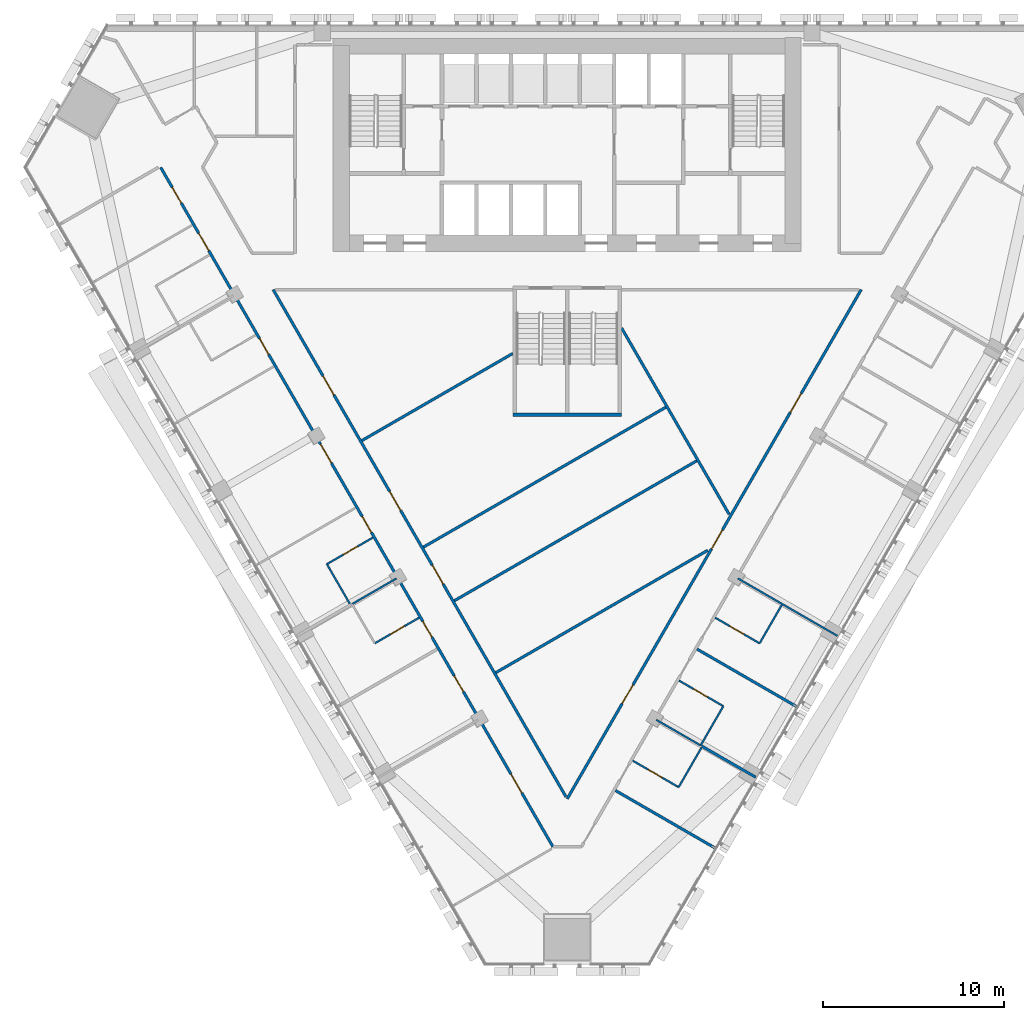
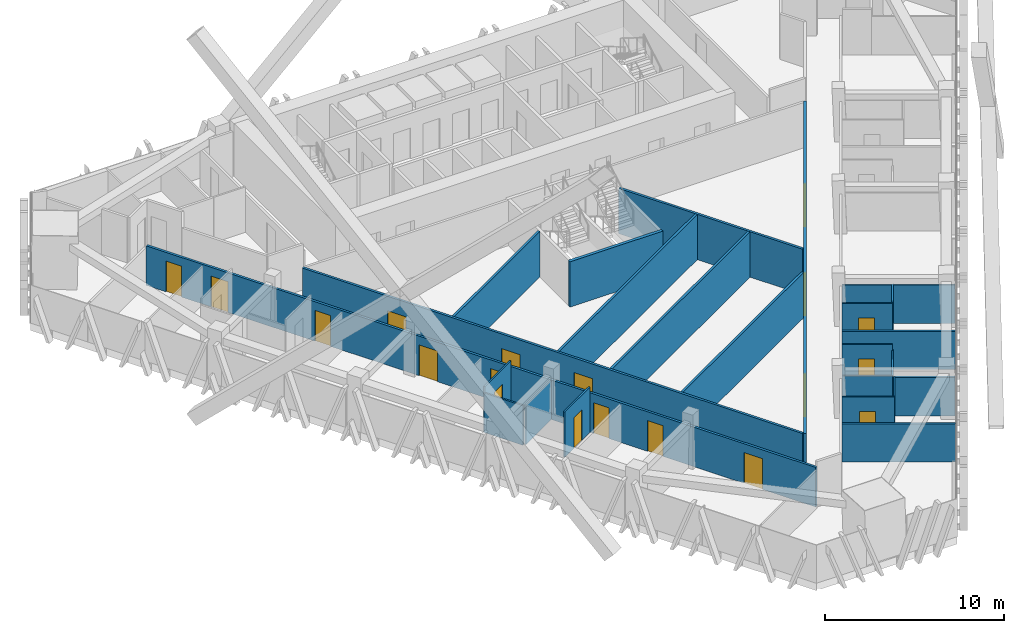
# One storey, part 12 of 19: 24 walls, 19 doors, 19 openings.
"""IFC4 building model written with IfcOpenShell, lengths in metres."""

from ifc_helpers import new_model, si_unit, direction, frame, frame_2d, origin, place, context, subcontext, project, spatial, rectangle, extrude, material, layer, layer_set, type_object, element, fill, save


model = new_model("IFC4")

# Units and contexts
model_context = context("Model", 3, precision=1e-05, world=origin(), true_north=direction((0.0, 1.0)))
body_context = subcontext(model_context, "Body", "Model", "MODEL_VIEW")
ifc_project = project(units=[si_unit("LENGTHUNIT", "METRE"), si_unit("AREAUNIT", "SQUARE_METRE"), si_unit("VOLUMEUNIT", "CUBIC_METRE"), si_unit("PLANEANGLEUNIT", "RADIAN"), si_unit("MASSUNIT", "GRAM", prefix="KILO")], contexts=[model_context])

# Site, building, storey
site_placement = place(None, origin())
site = spatial("IfcSite", under=ifc_project, at=site_placement, CompositionType="ELEMENT")
building_placement = place(site_placement, origin())
building = spatial("IfcBuilding", under=site, at=building_placement, Name="Altiplano Prism Tower", CompositionType="ELEMENT")
storey_placement = place(building_placement, frame((0.0, 0.0, 70.199951171875)))
storey = spatial("IfcBuildingStorey", under=building, at=storey_placement, Name="L17", CompositionType="ELEMENT", Elevation=70.199951171875)

# Wall
ifc_material_1 = material(Name="Plasterboard on steel stud", Category="steel")
ifc_layer_1 = layer(ifc_material_1, 0.10009765625)
ifc_layer_set_1 = layer_set([ifc_layer_1], Name="Plasterboard on steel stud")
wall_type_1 = type_object("IfcWallType", Name="Partition 100 unit", PredefinedType="PARTITIONING", material=ifc_layer_set_1)
wall_1_placement = place(storey_placement, frame((73.016845703125, 73.080322265625, 0.0), z_axis=(0.0, 0.0, 1.0), x_axis=(-0.499976333282, 0.866039067339, 0.0)))
element("IfcWall", 1, at=wall_1_placement, inside=storey, type_object=wall_type_1, Name="Partition P02 L17 047", PredefinedType="PARTITIONING", context=body_context, shape_type="SweptSolid", body=[
    extrude(rectangle(XDim=2.52490234375, YDim=0.10009765625, at=frame_2d((1.262451171875, 0.0))), origin(), (0.0, 0.0, 1.0), 2.699951171875),
])

# Wall, opening, door
wall_2_placement = place(storey_placement, frame((71.75439453125, 75.26708984375, 0.0), z_axis=(0.0, 0.0, 1.0), x_axis=(0.866046596414, 0.499963291492, 0.0)))
wall_2 = element("IfcWall", 2, at=wall_2_placement, inside=storey, type_object=wall_type_1, Name="Partition P02 L17 048", PredefinedType="PARTITIONING", context=body_context, shape_type="SweptSolid", body=[
    extrude(rectangle(XDim=2.925048828125, YDim=0.10009765625, at=frame_2d((1.46240234375, 0.0))), origin(), (0.0, 0.0, 1.0), 3.10009765625),
])
opening_1_placement = place(wall_2_placement, frame((1.050048828125, 0.0, 0.0)))
opening_1 = element("IfcOpeningElement", 3, at=opening_1_placement, cuts=wall_2, Name="Opening D0657", PredefinedType="OPENING", context=body_context, shape_type="SweptSolid", body=[
    extrude(rectangle(XDim=0.89990234375, YDim=2.10009765625, at=frame_2d((0.449951171875, 1.050048828125))), frame((0.0, 0.060546875, 0.0), z_axis=(0.0, -1.0, 0.0), x_axis=(1.0, 0.0, 0.0)), (0.0, 0.0, 1.0), 0.12109375),
])
ifc_material_2 = material(Name="Timber", Category="wood")
door_type_1 = type_object("IfcDoorType", Name="Ensuite door 900 x 2100", OperationType="NOTDEFINED", PredefinedType="NOTDEFINED", material=ifc_material_2)
door_1_placement = place(opening_1_placement, origin())
door_1 = element("IfcDoor", 4, at=door_1_placement, inside=storey, type_object=door_type_1, Name="Door D0657", OperationType="SINGLE_SWING_LEFT", OverallHeight=2.10009765625, OverallWidth=0.89990234375, PredefinedType="NOTDEFINED", context=body_context, shape_type="SweptSolid", body=[
    extrude(rectangle(XDim=0.89990234375, YDim=2.10009765625, at=frame_2d((0.449951171875, 1.050048828125))), frame((0.0, 0.02490234375, 0.0), z_axis=(0.0, -1.0, 0.0), x_axis=(1.0, 0.0, 0.0)), (0.0, 0.0, 1.0), 0.050048828125),
])
fill(opening_1, door_1)

wall_3_placement = place(storey_placement, frame((76.837646484375, 72.31298828125, 0.0), z_axis=(0.0, 0.0, 1.0), x_axis=(-0.866011447264, -0.500024172624, 0.0)))
wall_3 = element("IfcWall", 5, at=wall_3_placement, inside=storey, type_object=wall_type_1, Name="Partition P02 L17 051", PredefinedType="PARTITIONING", context=body_context, shape_type="SweptSolid", body=[
    extrude(rectangle(XDim=2.824951171875, YDim=0.10009765625, at=frame_2d((1.41259765625, 0.0))), origin(), (0.0, 0.0, 1.0), 3.10009765625),
])
opening_2_placement = place(wall_3_placement, frame((0.925048828125, 0.0, 0.0)))
opening_2 = element("IfcOpeningElement", 6, at=opening_2_placement, cuts=wall_3, Name="Opening D0659", PredefinedType="OPENING", context=body_context, shape_type="SweptSolid", body=[
    extrude(rectangle(XDim=0.89990234375, YDim=2.10009765625, at=frame_2d((0.449951171875, 1.050048828125))), frame((0.0, 0.060546875, 0.0), z_axis=(0.0, -1.0, 0.0), x_axis=(1.0, 0.0, 0.0)), (0.0, 0.0, 1.0), 0.12109375),
])
door_2_placement = place(opening_2_placement, origin())
door_2 = element("IfcDoor", 7, at=door_2_placement, inside=storey, type_object=door_type_1, Name="Door D0659", OperationType="SINGLE_SWING_LEFT", OverallHeight=2.10009765625, OverallWidth=0.89990234375, PredefinedType="NOTDEFINED", context=body_context, shape_type="SweptSolid", body=[
    extrude(rectangle(XDim=0.89990234375, YDim=2.10009765625, at=frame_2d((0.449951171875, 1.050048828125))), frame((0.0, 0.02490234375, 0.0), z_axis=(0.0, -1.0, 0.0), x_axis=(1.0, 0.0, 0.0)), (0.0, 0.0, 1.0), 0.050048828125),
])
fill(opening_2, door_2)

# Wall
wall_4_placement = place(storey_placement, frame((92.407958984375, 65.15625, 0.0), z_axis=(0.0, 0.0, 1.0), x_axis=(-0.499976333282, -0.866039067339, 0.0)))
element("IfcWall", 8, at=wall_4_placement, inside=storey, type_object=wall_type_1, Name="Partition P02 L17 057", PredefinedType="PARTITIONING", context=body_context, shape_type="SweptSolid", body=[
    extrude(rectangle(XDim=2.52490234375, YDim=0.10009765625, at=frame_2d((1.262451171875, 0.0))), origin(), (0.0, 0.0, 1.0), 2.699951171875),
])

# Wall, opening, door
wall_5_placement = place(storey_placement, frame((91.1455078125, 62.969482421875, 0.0), z_axis=(0.0, 0.0, 1.0), x_axis=(-0.865989585315, 0.500062034277, 0.0)))
wall_5 = element("IfcWall", 9, at=wall_5_placement, inside=storey, type_object=wall_type_1, Name="Partition P02 L17 058", PredefinedType="PARTITIONING", context=body_context, shape_type="SweptSolid", body=[
    extrude(rectangle(XDim=2.925048828125, YDim=0.10009765625, at=frame_2d((1.46240234375, 0.0))), origin(), (0.0, 0.0, 1.0), 3.10009765625),
])
opening_3_placement = place(wall_5_placement, frame((1.050048828125, 0.0, 0.0)))
opening_3 = element("IfcOpeningElement", 10, at=opening_3_placement, cuts=wall_5, Name="Opening D0664", PredefinedType="OPENING", context=body_context, shape_type="SweptSolid", body=[
    extrude(rectangle(XDim=0.89990234375, YDim=2.10009765625, at=frame_2d((0.449951171875, 1.050048828125))), frame((0.0, 0.060546875, 0.0), z_axis=(0.0, -1.0, 0.0), x_axis=(1.0, 0.0, 0.0)), (0.0, 0.0, 1.0), 0.12109375),
])
door_3_placement = place(opening_3_placement, origin())
door_3 = element("IfcDoor", 11, at=door_3_placement, inside=storey, type_object=door_type_1, Name="Door D0664", OperationType="SINGLE_SWING_LEFT", OverallHeight=2.10009765625, OverallWidth=0.89990234375, PredefinedType="NOTDEFINED", context=body_context, shape_type="SweptSolid", body=[
    extrude(rectangle(XDim=0.89990234375, YDim=2.10009765625, at=frame_2d((0.449951171875, 1.050048828125))), frame((0.0, 0.02490234375, 0.0), z_axis=(0.0, -1.0, 0.0), x_axis=(1.0, 0.0, 0.0)), (0.0, 0.0, 1.0), 0.050048828125),
])
fill(opening_3, door_3)

wall_6_placement = place(storey_placement, frame((91.162353515625, 68.848876953125, 0.0), z_axis=(0.0, 0.0, 1.0), x_axis=(0.866011447264, -0.500024172624, 0.0)))
wall_6 = element("IfcWall", 12, at=wall_6_placement, inside=storey, type_object=wall_type_1, Name="Partition P02 L17 061", PredefinedType="PARTITIONING", context=body_context, shape_type="SweptSolid", body=[
    extrude(rectangle(XDim=2.824951171875, YDim=0.10009765625, at=frame_2d((1.41259765625, 0.0))), origin(), (0.0, 0.0, 1.0), 3.10009765625),
])
opening_4_placement = place(wall_6_placement, frame((0.925048828125, 0.0, 0.0)))
opening_4 = element("IfcOpeningElement", 13, at=opening_4_placement, cuts=wall_6, Name="Opening D0666", PredefinedType="OPENING", context=body_context, shape_type="SweptSolid", body=[
    extrude(rectangle(XDim=0.89990234375, YDim=2.10009765625, at=frame_2d((0.449951171875, 1.050048828125))), frame((0.0, 0.060546875, 0.0), z_axis=(0.0, -1.0, 0.0), x_axis=(1.0, 0.0, 0.0)), (0.0, 0.0, 1.0), 0.12109375),
])
door_4_placement = place(opening_4_placement, origin())
door_4 = element("IfcDoor", 14, at=door_4_placement, inside=storey, type_object=door_type_1, Name="Door D0666", OperationType="SINGLE_SWING_LEFT", OverallHeight=2.10009765625, OverallWidth=0.89990234375, PredefinedType="NOTDEFINED", context=body_context, shape_type="SweptSolid", body=[
    extrude(rectangle(XDim=0.89990234375, YDim=2.10009765625, at=frame_2d((0.449951171875, 1.050048828125))), frame((0.0, 0.02490234375, 0.0), z_axis=(0.0, -1.0, 0.0), x_axis=(1.0, 0.0, 0.0)), (0.0, 0.0, 1.0), 0.050048828125),
])
fill(opening_4, door_4)

# Walls
wall_7_placement = place(storey_placement, frame((93.60888671875, 67.436279296875, 0.0), z_axis=(0.0, 0.0, 1.0), x_axis=(-0.500004234368, -0.866022959057, 0.0)))
element("IfcWall", 15, at=wall_7_placement, inside=storey, type_object=wall_type_1, Name="Partition P02 L17 062", PredefinedType="PARTITIONING", context=body_context, shape_type="SweptSolid", body=[
    extrude(rectangle(XDim=2.5, YDim=0.10009765625, at=frame_2d((1.25, 0.0))), origin(), (0.0, 0.0, 1.0), 2.699951171875),
])
wall_8_placement = place(storey_placement, frame((96.833984375, 73.022216796875, 0.0), z_axis=(0.0, 0.0, 1.0), x_axis=(-0.500018594424, -0.866014668023, 0.0)))
element("IfcWall", 16, at=wall_8_placement, inside=storey, type_object=wall_type_1, Name="Partition P02 L17 064", PredefinedType="PARTITIONING", context=body_context, shape_type="SweptSolid", body=[
    extrude(rectangle(XDim=2.4501953125, YDim=0.10009765625, at=frame_2d((1.22509765625, 0.0))), origin(), (0.0, 0.0, 1.0), 2.699951171875),
])

# Wall, opening, door
wall_9_placement = place(storey_placement, frame((95.60888671875, 70.900390625, 0.0), z_axis=(0.0, 0.0, 1.0), x_axis=(-0.866011447264, 0.500024172624, 0.0)))
wall_9 = element("IfcWall", 17, at=wall_9_placement, inside=storey, type_object=wall_type_1, Name="Partition P02 L17 065", PredefinedType="PARTITIONING", context=body_context, shape_type="SweptSolid", body=[
    extrude(rectangle(XDim=2.824951171875, YDim=0.10009765625, at=frame_2d((1.41259765625, 0.0))), origin(), (0.0, 0.0, 1.0), 3.10009765625),
])
opening_5_placement = place(wall_9_placement, frame((1.0, 0.0, 0.0)))
opening_5 = element("IfcOpeningElement", 18, at=opening_5_placement, cuts=wall_9, Name="Opening D0668", PredefinedType="OPENING", context=body_context, shape_type="SweptSolid", body=[
    extrude(rectangle(XDim=0.89990234375, YDim=2.10009765625, at=frame_2d((0.449951171875, 1.050048828125))), frame((0.0, 0.060546875, 0.0), z_axis=(0.0, -1.0, 0.0), x_axis=(1.0, 0.0, 0.0)), (0.0, 0.0, 1.0), 0.12109375),
])
door_5_placement = place(opening_5_placement, origin())
door_5 = element("IfcDoor", 19, at=door_5_placement, inside=storey, type_object=door_type_1, Name="Door D0668", OperationType="SINGLE_SWING_RIGHT", OverallHeight=2.10009765625, OverallWidth=0.89990234375, PredefinedType="NOTDEFINED", context=body_context, shape_type="SweptSolid", body=[
    extrude(rectangle(XDim=0.89990234375, YDim=2.10009765625, at=frame_2d((0.449951171875, 1.050048828125))), frame((0.0, 0.02490234375, 0.0), z_axis=(0.0, -1.0, 0.0), x_axis=(1.0, 0.0, 0.0)), (0.0, 0.0, 1.0), 0.050048828125),
])
fill(opening_5, door_5)

# Walls
ifc_layer_2 = layer(ifc_material_1, 0.10009765625)
ifc_layer_set_2 = layer_set([ifc_layer_2], Name="Plasterboard on steel stud")
wall_type_2 = type_object("IfcWallType", Name="Partition 100 wet", PredefinedType="PARTITIONING", material=ifc_layer_set_2)
for number, where, z_axis, x_axis, name in (
    (20, (73.14111328125, 73.0654296875, 0.0), (0.0, 0.0, 1.0), (0.866011447264, 0.500024172624, 0.0), "Partition P03 L17 050"),
    (21, (92.35888671875, 65.271240234375, 0.0), (0.0, 0.0, 1.0), (-0.866048868473, 0.499959355765, 0.0), "Partition P03 L17 060"),
):
    element("IfcWall", number, at=place(storey_placement, frame(where, z_axis=z_axis, x_axis=x_axis)), inside=storey, type_object=wall_type_2, Name=name, PredefinedType="PARTITIONING", context=body_context, shape_type="SweptSolid", body=[
        extrude(rectangle(XDim=2.824951171875, YDim=0.10009765625, at=frame_2d((1.41259765625, 0.0))), origin(), (0.0, 0.0, 1.0), 2.699951171875),
    ])
wall_10_placement = place(storey_placement, frame((99.89013671875, 71.3154296875, 0.0), z_axis=(0.0, 0.0, 1.0), x_axis=(-0.866025537322, 0.499999768706, 0.0)))
element("IfcWall", 22, at=wall_10_placement, inside=storey, type_object=wall_type_2, Name="Partition P03 L17 066", PredefinedType="PARTITIONING", context=body_context, shape_type="SweptSolid", body=[
    extrude(rectangle(XDim=6.3251953125, YDim=0.10009765625, at=frame_2d((3.16259765625, 0.0))), origin(), (0.0, 0.0, 1.0), 2.60009765625),
])

# Wall, openings, doors
ifc_layer_3 = layer(ifc_material_1, 0.14990234375)
ifc_layer_set_3 = layer_set([ifc_layer_3], Name="Plasterboard on steel stud")
wall_type_3 = type_object("IfcWallType", Name="Partition 150 corridor", PredefinedType="PARTITIONING", material=ifc_layer_set_3)
wall_11_placement = place(storey_placement, frame((62.59033203125, 97.1396484375, 0.0), z_axis=(0.0, 0.0, 1.0), x_axis=(0.500002288388, -0.866024082579, 0.0)))
wall_11 = element("IfcWall", 23, at=wall_11_placement, inside=storey, type_object=wall_type_3, Name="Partition P06 L17 010", PredefinedType="PARTITIONING", context=body_context, shape_type="SweptSolid", body=[
    extrude(rectangle(XDim=43.248291015625, YDim=0.14990234375, at=frame_2d((21.6240234375, 0.0))), origin(), (0.0, 0.0, 1.0), 2.699951171875),
])
opening_6_placement = place(wall_11_placement, frame((1.280029296875, 0.0, 0.0)))
opening_6 = element("IfcOpeningElement", 24, at=opening_6_placement, cuts=wall_11, Name="Opening D0650", PredefinedType="OPENING", context=body_context, shape_type="SweptSolid", body=[
    extrude(rectangle(XDim=1.0, YDim=2.10009765625, at=frame_2d((0.5, 1.050048828125))), frame((0.0, 0.08544921875, 0.0), z_axis=(0.0, -1.0, 0.0), x_axis=(1.0, 0.0, 0.0)), (0.0, 0.0, 1.0), 0.1708984375),
])
opening_7_placement = place(wall_11_placement, frame((4.195068359375, 0.0, 0.0)))
opening_7 = element("IfcOpeningElement", 25, at=opening_7_placement, cuts=wall_11, Name="Opening D0651", PredefinedType="OPENING", context=body_context, shape_type="SweptSolid", body=[
    extrude(rectangle(XDim=1.10009765625, YDim=2.10009765625, at=frame_2d((0.550048828125, 1.050048828125))), frame((0.0, 0.08544921875, 0.0), z_axis=(0.0, -1.0, 0.0), x_axis=(1.0, 0.0, 0.0)), (0.0, 0.0, 1.0), 0.1708984375),
])
opening_8_placement = place(wall_11_placement, frame((10.904052734375, 0.0, 0.0)))
opening_8 = element("IfcOpeningElement", 26, at=opening_8_placement, cuts=wall_11, Name="Opening D0653", PredefinedType="OPENING", context=body_context, shape_type="SweptSolid", body=[
    extrude(rectangle(XDim=1.0, YDim=2.10009765625, at=frame_2d((0.5, 1.050048828125))), frame((0.0, 0.08544921875, 0.0), z_axis=(0.0, -1.0, 0.0), x_axis=(1.0, 0.0, 0.0)), (0.0, 0.0, 1.0), 0.1708984375),
])
opening_9_placement = place(wall_11_placement, frame((17.6240234375, 0.0, 0.0)))
opening_9 = element("IfcOpeningElement", 27, at=opening_9_placement, cuts=wall_11, Name="Opening D0655", PredefinedType="OPENING", context=body_context, shape_type="SweptSolid", body=[
    extrude(rectangle(XDim=1.199951171875, YDim=2.10009765625, at=frame_2d((0.60009765625, 1.050048828125))), frame((0.0, 0.08544921875, 0.0), z_axis=(0.0, -1.0, 0.0), x_axis=(1.0, 0.0, 0.0)), (0.0, 0.0, 1.0), 0.1708984375),
])
opening_10_placement = place(wall_11_placement, frame((22.22900390625, 0.0, 0.0)))
opening_10 = element("IfcOpeningElement", 28, at=opening_10_placement, cuts=wall_11, Name="Opening D0656", PredefinedType="OPENING", context=body_context, shape_type="SweptSolid", body=[
    extrude(rectangle(XDim=1.0, YDim=2.10009765625, at=frame_2d((0.5, 1.050048828125))), frame((0.0, 0.08544921875, 0.0), z_axis=(0.0, -1.0, 0.0), x_axis=(1.0, 0.0, 0.0)), (0.0, 0.0, 1.0), 0.1708984375),
])
opening_11_placement = place(wall_11_placement, frame((28.904052734375, 0.0, 0.0)))
opening_11 = element("IfcOpeningElement", 29, at=opening_11_placement, cuts=wall_11, Name="Opening D0658", PredefinedType="OPENING", context=body_context, shape_type="SweptSolid", body=[
    extrude(rectangle(XDim=1.0, YDim=2.10009765625, at=frame_2d((0.5, 1.050048828125))), frame((0.0, 0.08544921875, 0.0), z_axis=(0.0, -1.0, 0.0), x_axis=(1.0, 0.0, 0.0)), (0.0, 0.0, 1.0), 0.1708984375),
])
opening_12_placement = place(wall_11_placement, frame((32.3740234375, 0.0, 0.0)))
opening_12 = element("IfcOpeningElement", 30, at=opening_12_placement, cuts=wall_11, Name="Opening D0660", PredefinedType="OPENING", context=body_context, shape_type="SweptSolid", body=[
    extrude(rectangle(XDim=1.0, YDim=2.10009765625, at=frame_2d((0.5, 1.050048828125))), frame((0.0, 0.08544921875, 0.0), z_axis=(0.0, -1.0, 0.0), x_axis=(1.0, 0.0, 0.0)), (0.0, 0.0, 1.0), 0.1708984375),
])
opening_13_placement = place(wall_11_placement, frame((38.617919921875, 0.0, 0.0)))
opening_13 = element("IfcOpeningElement", 31, at=opening_13_placement, cuts=wall_11, Name="Opening D0661", PredefinedType="OPENING", context=body_context, shape_type="SweptSolid", body=[
    extrude(rectangle(XDim=1.199951171875, YDim=2.10009765625, at=frame_2d((0.60009765625, 1.050048828125))), frame((0.0, 0.08544921875, 0.0), z_axis=(0.0, -1.0, 0.0), x_axis=(1.0, 0.0, 0.0)), (0.0, 0.0, 1.0), 0.1708984375),
])
door_type_2 = type_object("IfcDoorType", Name="Accessible bedroom door 1100 x 2100", OperationType="NOTDEFINED", PredefinedType="NOTDEFINED", material=ifc_material_2)
door_6_placement = place(opening_7_placement, origin())
door_6 = element("IfcDoor", 32, at=door_6_placement, inside=storey, type_object=door_type_2, Name="Door D0651", OperationType="SINGLE_SWING_RIGHT", OverallHeight=2.10009765625, OverallWidth=1.10009765625, PredefinedType="NOTDEFINED", context=body_context, shape_type="SweptSolid", body=[
    extrude(rectangle(XDim=1.10009765625, YDim=2.10009765625, at=frame_2d((0.550048828125, 1.050048828125))), frame((0.0, 0.02490234375, 0.0), z_axis=(0.0, -1.0, 0.0), x_axis=(1.0, 0.0, 0.0)), (0.0, 0.0, 1.0), 0.050048828125),
])
fill(opening_7, door_6)
door_type_3 = type_object("IfcDoorType", Name="Bedroom entrance door 1000 x 2100", OperationType="NOTDEFINED", PredefinedType="NOTDEFINED", material=ifc_material_2)
door_7_placement = place(opening_8_placement, origin())
door_7 = element("IfcDoor", 33, at=door_7_placement, inside=storey, type_object=door_type_3, Name="Door D0653", OperationType="SINGLE_SWING_LEFT", OverallHeight=2.10009765625, OverallWidth=1.0, PredefinedType="NOTDEFINED", context=body_context, shape_type="SweptSolid", body=[
    extrude(rectangle(XDim=1.0, YDim=2.10009765625, at=frame_2d((0.5, 1.050048828125))), frame((0.0, 0.02490234375, 0.0), z_axis=(0.0, -1.0, 0.0), x_axis=(1.0, 0.0, 0.0)), (0.0, 0.0, 1.0), 0.050048828125),
])
fill(opening_8, door_7)
door_8_placement = place(opening_10_placement, origin())
door_8 = element("IfcDoor", 34, at=door_8_placement, inside=storey, type_object=door_type_3, Name="Door D0656", OperationType="SINGLE_SWING_RIGHT", OverallHeight=2.10009765625, OverallWidth=1.0, PredefinedType="NOTDEFINED", context=body_context, shape_type="SweptSolid", body=[
    extrude(rectangle(XDim=1.0, YDim=2.10009765625, at=frame_2d((0.5, 1.050048828125))), frame((0.0, 0.02490234375, 0.0), z_axis=(0.0, -1.0, 0.0), x_axis=(1.0, 0.0, 0.0)), (0.0, 0.0, 1.0), 0.050048828125),
])
fill(opening_10, door_8)
door_9_placement = place(opening_11_placement, origin())
door_9 = element("IfcDoor", 35, at=door_9_placement, inside=storey, type_object=door_type_3, Name="Door D0658", OperationType="SINGLE_SWING_LEFT", OverallHeight=2.10009765625, OverallWidth=1.0, PredefinedType="NOTDEFINED", context=body_context, shape_type="SweptSolid", body=[
    extrude(rectangle(XDim=1.0, YDim=2.10009765625, at=frame_2d((0.5, 1.050048828125))), frame((0.0, 0.02490234375, 0.0), z_axis=(0.0, -1.0, 0.0), x_axis=(1.0, 0.0, 0.0)), (0.0, 0.0, 1.0), 0.050048828125),
])
fill(opening_11, door_9)
door_type_4 = type_object("IfcDoorType", Name="Room door 1000 x 2100", OperationType="NOTDEFINED", PredefinedType="NOTDEFINED", material=ifc_material_2)
door_10_placement = place(opening_6_placement, origin())
door_10 = element("IfcDoor", 36, at=door_10_placement, inside=storey, type_object=door_type_4, Name="Door D0650", OperationType="SINGLE_SWING_LEFT", OverallHeight=2.10009765625, OverallWidth=1.0, PredefinedType="NOTDEFINED", context=body_context, shape_type="SweptSolid", body=[
    extrude(rectangle(XDim=1.0, YDim=2.10009765625, at=frame_2d((0.5, 1.050048828125))), frame((0.0, 0.02490234375, 0.0), z_axis=(0.0, -1.0, 0.0), x_axis=(1.0, 0.0, 0.0)), (0.0, 0.0, 1.0), 0.050048828125),
])
fill(opening_6, door_10)
door_11_placement = place(opening_12_placement, origin())
door_11 = element("IfcDoor", 37, at=door_11_placement, inside=storey, type_object=door_type_4, Name="Door D0660", OperationType="SINGLE_SWING_LEFT", OverallHeight=2.10009765625, OverallWidth=1.0, PredefinedType="NOTDEFINED", context=body_context, shape_type="SweptSolid", body=[
    extrude(rectangle(XDim=1.0, YDim=2.10009765625, at=frame_2d((0.5, 1.050048828125))), frame((0.0, 0.02490234375, 0.0), z_axis=(0.0, -1.0, 0.0), x_axis=(1.0, 0.0, 0.0)), (0.0, 0.0, 1.0), 0.050048828125),
])
fill(opening_12, door_11)
door_type_5 = type_object("IfcDoorType", Name="Shared room door 1200 x 2100", OperationType="NOTDEFINED", PredefinedType="NOTDEFINED", material=ifc_material_2)
door_12_placement = place(opening_9_placement, origin())
door_12 = element("IfcDoor", 38, at=door_12_placement, inside=storey, type_object=door_type_5, Name="Door D0655", OperationType="SINGLE_SWING_LEFT", OverallHeight=2.10009765625, OverallWidth=1.199951171875, PredefinedType="NOTDEFINED", context=body_context, shape_type="SweptSolid", body=[
    extrude(rectangle(XDim=1.199951171875, YDim=2.10009765625, at=frame_2d((0.60009765625, 1.050048828125))), frame((0.0, 0.02490234375, 0.0), z_axis=(0.0, -1.0, 0.0), x_axis=(1.0, 0.0, 0.0)), (0.0, 0.0, 1.0), 0.050048828125),
])
fill(opening_9, door_12)
door_13_placement = place(opening_13_placement, origin())
door_13 = element("IfcDoor", 39, at=door_13_placement, inside=storey, type_object=door_type_5, Name="Door D0661", OperationType="SINGLE_SWING_LEFT", OverallHeight=2.10009765625, OverallWidth=1.199951171875, PredefinedType="NOTDEFINED", context=body_context, shape_type="SweptSolid", body=[
    extrude(rectangle(XDim=1.199951171875, YDim=2.10009765625, at=frame_2d((0.60009765625, 1.050048828125))), frame((0.0, 0.02490234375, 0.0), z_axis=(0.0, -1.0, 0.0), x_axis=(1.0, 0.0, 0.0)), (0.0, 0.0, 1.0), 0.050048828125),
])
fill(opening_13, door_13)

wall_12_placement = place(storey_placement, frame((101.208984375, 90.39990234375, 0.0), z_axis=(0.0, 0.0, 1.0), x_axis=(-0.500001034453, -0.866024806542, 0.0)))
wall_12 = element("IfcWall", 40, at=wall_12_placement, inside=storey, type_object=wall_type_3, Name="Partition P06 L17 015", PredefinedType="PARTITIONING", context=body_context, shape_type="SweptSolid", body=[
    extrude(rectangle(XDim=32.41796875, YDim=0.14990234375, at=frame_2d((16.208984375, 0.0))), origin(), (0.0, 0.0, 1.0), 3.10009765625),
])
opening_14_placement = place(wall_12_placement, frame((6.612060546875, 0.0, 0.0)))
opening_14 = element("IfcOpeningElement", 41, at=opening_14_placement, cuts=wall_12, Name="Opening D0675", PredefinedType="OPENING", context=body_context, shape_type="SweptSolid", body=[
    extrude(rectangle(XDim=1.199951171875, YDim=2.10009765625, at=frame_2d((0.60009765625, 1.050048828125))), frame((0.0, 0.08544921875, 0.0), z_axis=(0.0, -1.0, 0.0), x_axis=(1.0, 0.0, 0.0)), (0.0, 0.0, 1.0), 0.1708984375),
])
opening_15_placement = place(wall_12_placement, frame((15.2958984375, 0.0, 0.0)))
opening_15 = element("IfcOpeningElement", 42, at=opening_15_placement, cuts=wall_12, Name="Opening D0678", PredefinedType="OPENING", context=body_context, shape_type="SweptSolid", body=[
    extrude(rectangle(XDim=1.199951171875, YDim=2.10009765625, at=frame_2d((0.60009765625, 1.050048828125))), frame((0.0, 0.08544921875, 0.0), z_axis=(0.0, -1.0, 0.0), x_axis=(1.0, 0.0, 0.0)), (0.0, 0.0, 1.0), 0.1708984375),
])
opening_16_placement = place(wall_12_placement, frame((25.156982421875, 0.0, 0.0)))
opening_16 = element("IfcOpeningElement", 43, at=opening_16_placement, cuts=wall_12, Name="Opening D0680", PredefinedType="OPENING", context=body_context, shape_type="SweptSolid", body=[
    extrude(rectangle(XDim=1.199951171875, YDim=2.10009765625, at=frame_2d((0.60009765625, 1.050048828125))), frame((0.0, 0.08544921875, 0.0), z_axis=(0.0, -1.0, 0.0), x_axis=(1.0, 0.0, 0.0)), (0.0, 0.0, 1.0), 0.1708984375),
])
door_14_placement = place(opening_14_placement, origin())
door_14 = element("IfcDoor", 44, at=door_14_placement, inside=storey, type_object=door_type_5, Name="Door D0675", OperationType="SINGLE_SWING_RIGHT", OverallHeight=2.10009765625, OverallWidth=1.199951171875, PredefinedType="NOTDEFINED", context=body_context, shape_type="SweptSolid", body=[
    extrude(rectangle(XDim=1.199951171875, YDim=2.10009765625, at=frame_2d((0.60009765625, 1.050048828125))), frame((0.0, 0.02490234375, 0.0), z_axis=(0.0, -1.0, 0.0), x_axis=(1.0, 0.0, 0.0)), (0.0, 0.0, 1.0), 0.050048828125),
])
fill(opening_14, door_14)
door_15_placement = place(opening_15_placement, origin())
door_15 = element("IfcDoor", 45, at=door_15_placement, inside=storey, type_object=door_type_5, Name="Door D0678", OperationType="SINGLE_SWING_LEFT", OverallHeight=2.10009765625, OverallWidth=1.199951171875, PredefinedType="NOTDEFINED", context=body_context, shape_type="SweptSolid", body=[
    extrude(rectangle(XDim=1.199951171875, YDim=2.10009765625, at=frame_2d((0.60009765625, 1.050048828125))), frame((0.0, 0.02490234375, 0.0), z_axis=(0.0, -1.0, 0.0), x_axis=(1.0, 0.0, 0.0)), (0.0, 0.0, 1.0), 0.050048828125),
])
fill(opening_15, door_15)
door_16_placement = place(opening_16_placement, origin())
door_16 = element("IfcDoor", 46, at=door_16_placement, inside=storey, type_object=door_type_5, Name="Door D0680", OperationType="SINGLE_SWING_RIGHT", OverallHeight=2.10009765625, OverallWidth=1.199951171875, PredefinedType="NOTDEFINED", context=body_context, shape_type="SweptSolid", body=[
    extrude(rectangle(XDim=1.199951171875, YDim=2.10009765625, at=frame_2d((0.60009765625, 1.050048828125))), frame((0.0, 0.02490234375, 0.0), z_axis=(0.0, -1.0, 0.0), x_axis=(1.0, 0.0, 0.0)), (0.0, 0.0, 1.0), 0.050048828125),
])
fill(opening_16, door_16)

wall_13_placement = place(storey_placement, frame((84.93505859375, 62.4375, 0.0), z_axis=(0.0, 0.0, 1.0), x_axis=(-0.499998663172, 0.866026175601, 0.0)))
wall_13 = element("IfcWall", 47, at=wall_13_placement, inside=storey, type_object=wall_type_3, Name="Partition P06 L17 029", PredefinedType="PARTITIONING", context=body_context, shape_type="SweptSolid", body=[
    extrude(rectangle(XDim=32.2880859375, YDim=0.14990234375, at=frame_2d((16.14404296875, 0.0))), origin(), (0.0, 0.0, 1.0), 3.10009765625),
])
opening_17_placement = place(wall_13_placement, frame((18.240966796875, 0.0, 0.0)))
opening_17 = element("IfcOpeningElement", 48, at=opening_17_placement, cuts=wall_13, Name="Opening D0677", PredefinedType="OPENING", context=body_context, shape_type="SweptSolid", body=[
    extrude(rectangle(XDim=1.199951171875, YDim=2.10009765625, at=frame_2d((0.60009765625, 1.050048828125))), frame((0.0, 0.08544921875, 0.0), z_axis=(0.0, -1.0, 0.0), x_axis=(1.0, 0.0, 0.0)), (0.0, 0.0, 1.0), 0.1708984375),
])
opening_18_placement = place(wall_13_placement, frame((25.591064453125, 0.0, 0.0)))
opening_18 = element("IfcOpeningElement", 49, at=opening_18_placement, cuts=wall_13, Name="Opening D0679", PredefinedType="OPENING", context=body_context, shape_type="SweptSolid", body=[
    extrude(rectangle(XDim=1.199951171875, YDim=2.10009765625, at=frame_2d((0.60009765625, 1.050048828125))), frame((0.0, 0.08544921875, 0.0), z_axis=(0.0, -1.0, 0.0), x_axis=(1.0, 0.0, 0.0)), (0.0, 0.0, 1.0), 0.1708984375),
])
opening_19_placement = place(wall_13_placement, frame((13.544921875, 0.0, 0.0)))
opening_19 = element("IfcOpeningElement", 50, at=opening_19_placement, cuts=wall_13, Name="Opening D0681", PredefinedType="OPENING", context=body_context, shape_type="SweptSolid", body=[
    extrude(rectangle(XDim=1.199951171875, YDim=2.10009765625, at=frame_2d((0.60009765625, 1.050048828125))), frame((0.0, 0.08544921875, 0.0), z_axis=(0.0, -1.0, 0.0), x_axis=(1.0, 0.0, 0.0)), (0.0, 0.0, 1.0), 0.1708984375),
])
door_17_placement = place(opening_17_placement, origin())
door_17 = element("IfcDoor", 51, at=door_17_placement, inside=storey, type_object=door_type_5, Name="Door D0677", OperationType="SINGLE_SWING_RIGHT", OverallHeight=2.10009765625, OverallWidth=1.199951171875, PredefinedType="NOTDEFINED", context=body_context, shape_type="SweptSolid", body=[
    extrude(rectangle(XDim=1.199951171875, YDim=2.10009765625, at=frame_2d((0.60009765625, 1.050048828125))), frame((0.0, 0.02490234375, 0.0), z_axis=(0.0, -1.0, 0.0), x_axis=(1.0, 0.0, 0.0)), (0.0, 0.0, 1.0), 0.050048828125),
])
fill(opening_17, door_17)
door_18_placement = place(opening_18_placement, origin())
door_18 = element("IfcDoor", 52, at=door_18_placement, inside=storey, type_object=door_type_5, Name="Door D0679", OperationType="SINGLE_SWING_LEFT", OverallHeight=2.10009765625, OverallWidth=1.199951171875, PredefinedType="NOTDEFINED", context=body_context, shape_type="SweptSolid", body=[
    extrude(rectangle(XDim=1.199951171875, YDim=2.10009765625, at=frame_2d((0.60009765625, 1.050048828125))), frame((0.0, 0.02490234375, 0.0), z_axis=(0.0, -1.0, 0.0), x_axis=(1.0, 0.0, 0.0)), (0.0, 0.0, 1.0), 0.050048828125),
])
fill(opening_18, door_18)
door_19_placement = place(opening_19_placement, origin())
door_19 = element("IfcDoor", 53, at=door_19_placement, inside=storey, type_object=door_type_5, Name="Door D0681", OperationType="SINGLE_SWING_LEFT", OverallHeight=2.10009765625, OverallWidth=1.199951171875, PredefinedType="NOTDEFINED", context=body_context, shape_type="SweptSolid", body=[
    extrude(rectangle(XDim=1.199951171875, YDim=2.10009765625, at=frame_2d((0.60009765625, 1.050048828125))), frame((0.0, 0.02490234375, 0.0), z_axis=(0.0, -1.0, 0.0), x_axis=(1.0, 0.0, 0.0)), (0.0, 0.0, 1.0), 0.050048828125),
])
fill(opening_19, door_19)

# Walls
ifc_layer_4 = layer(ifc_material_1, 0.14990234375)
ifc_layer_set_4 = layer_set([ifc_layer_4], Name="Plasterboard on steel stud")
wall_type_4 = type_object("IfcWallType", Name="Partition 150 party", PredefinedType="PARTITIONING", material=ifc_layer_set_4)
wall_14_placement = place(storey_placement, frame((93.157470703125, 59.614013671875, 0.0), z_axis=(0.0, 0.0, 1.0), x_axis=(-0.866025401434, 0.500000004071, 0.0)))
element("IfcWall", 54, at=wall_14_placement, inside=storey, type_object=wall_type_4, Name="Partition P01 L17 056", PredefinedType="PARTITIONING", context=body_context, shape_type="SweptSolid", body=[
    extrude(rectangle(XDim=6.34521484375, YDim=0.14990234375, at=frame_2d((3.172607421875, 0.0))), origin(), (0.0, 0.0, 1.0), 2.60009765625),
])
wall_15_placement = place(storey_placement, frame((95.39013671875, 63.521240234375, 0.0), z_axis=(0.0, 0.0, 1.0), x_axis=(-0.866038183914, 0.499977863513, 0.0)))
element("IfcWall", 55, at=wall_15_placement, inside=storey, type_object=wall_type_4, Name="Partition P01 L17 059", PredefinedType="PARTITIONING", context=body_context, shape_type="SweptSolid", body=[
    extrude(rectangle(XDim=3.420166015625, YDim=0.14990234375, at=frame_2d((1.7099609375, 0.0))), origin(), (0.0, 0.0, 1.0), 2.60009765625),
])
wall_16_placement = place(storey_placement, frame((97.657470703125, 67.408203125, 0.0), z_axis=(0.0, 0.0, 1.0), x_axis=(-0.866025401434, 0.500000004071, 0.0)))
element("IfcWall", 56, at=wall_16_placement, inside=storey, type_object=wall_type_4, Name="Partition P01 L17 063", PredefinedType="PARTITIONING", context=body_context, shape_type="SweptSolid", body=[
    extrude(rectangle(XDim=6.34521484375, YDim=0.14990234375, at=frame_2d((3.172607421875, 0.0))), origin(), (0.0, 0.0, 1.0), 2.60009765625),
])
wall_17_placement = place(storey_placement, frame((88.0, 88.28466796875, 0.0), z_axis=(0.0, 0.0, 1.0), x_axis=(0.499998697147, -0.866026155985, 0.0)))
element("IfcWall", 57, at=wall_17_placement, inside=storey, type_object=wall_type_4, Name="Partition P01 L17 075", PredefinedType="PARTITIONING", context=body_context, shape_type="SweptSolid", body=[
    extrude(rectangle(XDim=11.85791015625, YDim=0.14990234375, at=frame_2d((5.928955078125, 0.0))), origin(), (0.0, 0.0, 1.0), 3.10009765625),
])
wall_18_placement = place(storey_placement, frame((82.0, 86.880859375, 0.0), z_axis=(0.0, 0.0, 1.0), x_axis=(-0.866017959571, -0.500012893534, 0.0)))
element("IfcWall", 58, at=wall_18_placement, inside=storey, type_object=wall_type_4, Name="Partition P01 L17 076", PredefinedType="PARTITIONING", context=body_context, shape_type="SweptSolid", body=[
    extrude(rectangle(XDim=9.604736328125, YDim=0.14990234375, at=frame_2d((4.80224609375, 0.0))), origin(), (0.0, 0.0, 1.0), 3.10009765625),
])
wall_19_placement = place(storey_placement, frame((77.07470703125, 76.2021484375, 0.0), z_axis=(0.0, 0.0, 1.0), x_axis=(0.866019036803, 0.500011027772, 0.0)))
element("IfcWall", 59, at=wall_19_placement, inside=storey, type_object=wall_type_4, Name="Partition P01 L17 077", PredefinedType="PARTITIONING", context=body_context, shape_type="SweptSolid", body=[
    extrude(rectangle(XDim=15.427978515625, YDim=0.14990234375, at=frame_2d((7.7138671875, 0.0))), origin(), (0.0, 0.0, 1.0), 3.10009765625),
])
wall_20_placement = place(storey_placement, frame((81.068115234375, 69.285400390625, 0.0), z_axis=(0.0, 0.0, 1.0), x_axis=(0.866029476959, 0.499992944988, 0.0)))
element("IfcWall", 60, at=wall_20_placement, inside=storey, type_object=wall_type_4, Name="Partition P01 L17 078", PredefinedType="PARTITIONING", context=body_context, shape_type="SweptSolid", body=[
    extrude(rectangle(XDim=13.490478515625, YDim=0.14990234375, at=frame_2d((6.7451171875, 0.0))), origin(), (0.0, 0.0, 1.0), 3.10009765625),
])
wall_21_placement = place(storey_placement, frame((92.14111328125, 80.9619140625, 0.0), z_axis=(0.0, 0.0, 1.0), x_axis=(-0.866025889145, -0.499999159329, 0.0)))
element("IfcWall", 61, at=wall_21_placement, inside=storey, type_object=wall_type_4, Name="Partition P01 L17 079", PredefinedType="PARTITIONING", context=body_context, shape_type="SweptSolid", body=[
    extrude(rectangle(XDim=15.427734375, YDim=0.14990234375, at=frame_2d((7.7138671875, 0.0))), origin(), (0.0, 0.0, 1.0), 3.10009765625),
])
ifc_material_3 = material(Name="Concrete C60/75", Category="concrete")
ifc_layer_5 = layer(ifc_material_3, 0.199951171875)
ifc_layer_set_5 = layer_set([ifc_layer_5], Name="Concrete C60/75")
wall_type_5 = type_object("IfcWallType", Name="Stair wall 200", PredefinedType="SOLIDWALL", material=ifc_layer_set_5)
wall_22_placement = place(storey_placement, frame((82.0, 83.5, 0.0), z_axis=(0.0, 0.0, 1.0), x_axis=(1.0, 0.0, 0.0)))
element("IfcWall", 62, at=wall_22_placement, inside=storey, type_object=wall_type_5, Name="Stair 3 wall south L17", PredefinedType="SOLIDWALL", context=body_context, shape_type="SweptSolid", body=[
    extrude(rectangle(XDim=6.0, YDim=0.199951171875, at=frame_2d((3.0, 0.0))), origin(), (0.0, 0.0, 1.0), 3.10009765625),
])

save(model, "model.ifc")
